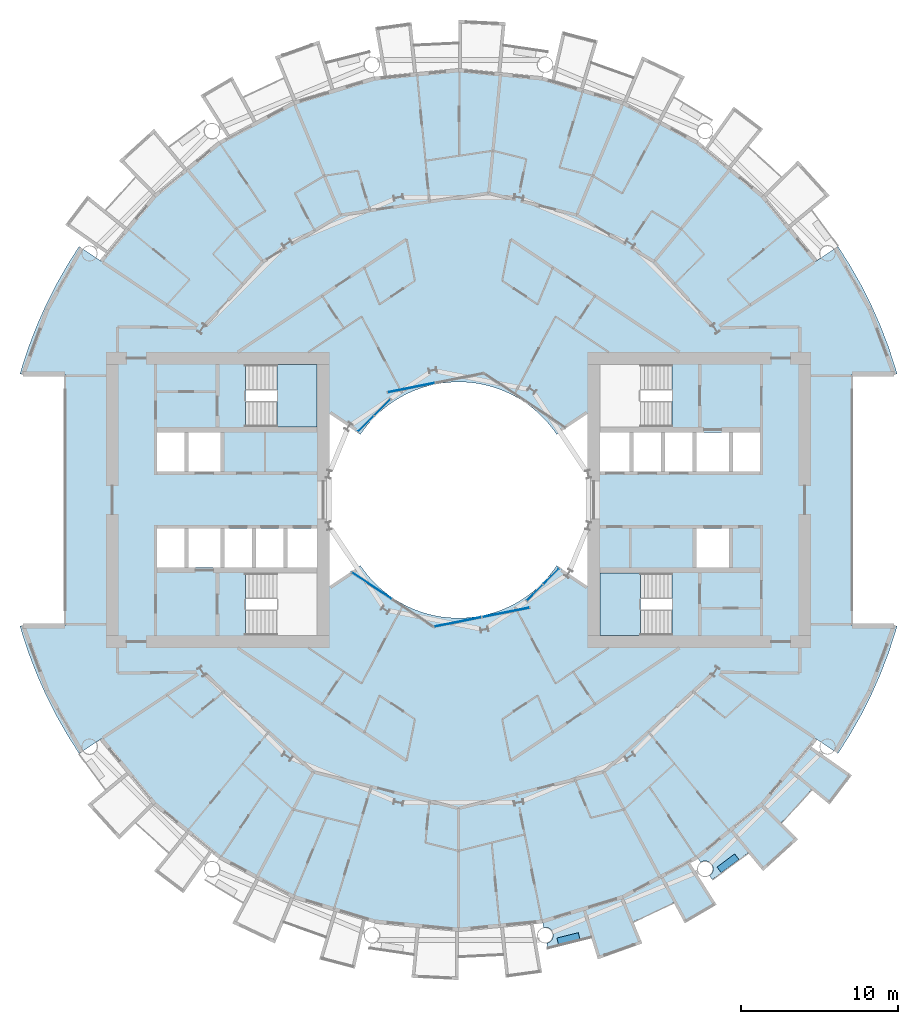
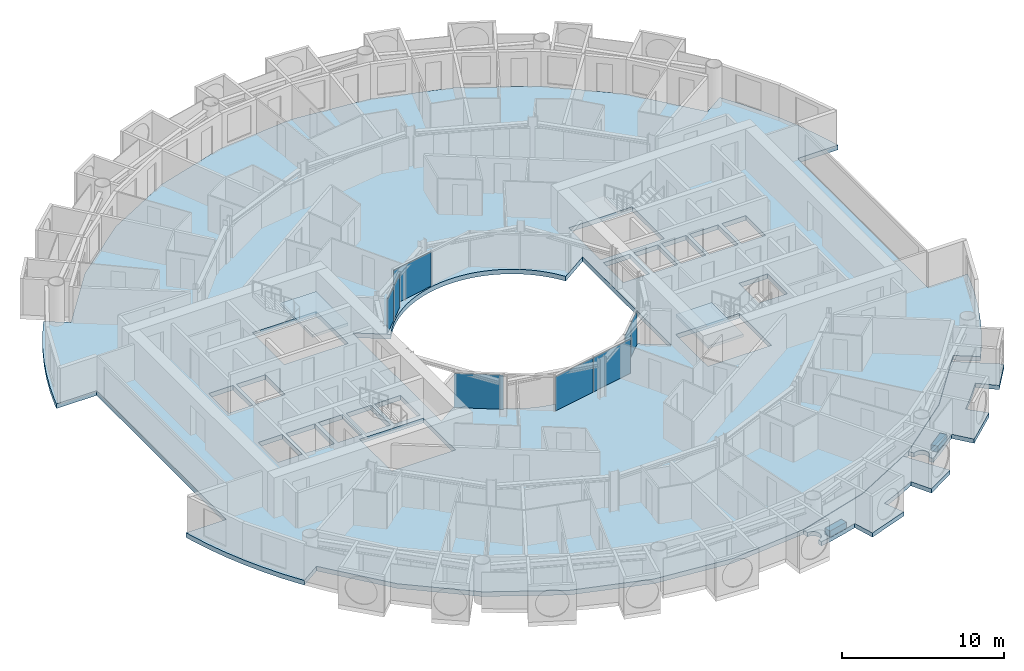
# One storey, part 10 of 26: 8 plates, 7 slabs, 7 elements without a shape of their own.
"""IFC4 building model written with IfcOpenShell, lengths in metres."""

from ifc_helpers import new_model, si_unit, direction, frame, origin, origin_2d, place, context, subcontext, project, spatial, polyline, rectangle, outline, extrude, material, layer, layer_set, type_object, element, aggregate, save


model = new_model("IFC4")

# Units and contexts
model_context = context("Model", 3, precision=1e-05, world=origin(), true_north=direction((0.0, 1.0)))
body_context = subcontext(model_context, "Body", "Model", "MODEL_VIEW")
ifc_project = project(units=[si_unit("LENGTHUNIT", "METRE"), si_unit("AREAUNIT", "SQUARE_METRE"), si_unit("VOLUMEUNIT", "CUBIC_METRE"), si_unit("PLANEANGLEUNIT", "RADIAN"), si_unit("MASSUNIT", "GRAM", prefix="KILO")], contexts=[model_context])

# Site, building, storey
site_placement = place(None, origin())
site = spatial("IfcSite", under=ifc_project, at=site_placement, CompositionType="ELEMENT")
building_placement = place(site_placement, origin())
building = spatial("IfcBuilding", under=site, at=building_placement, Name="Maasbend Ring Residences", CompositionType="ELEMENT")
storey_placement = place(building_placement, frame((0.0, 0.0, 31.949951171875)))
storey = spatial("IfcBuildingStorey", under=building, at=storey_placement, Name="L08", CompositionType="ELEMENT", Elevation=31.949951171875)

# Stair, slab
ifc_material_1 = material(Name="Concrete C40/50", Category="concrete")
stair_type = type_object("IfcStairType", Name="CORE STAIR 18 RISERS", PredefinedType="HALF_TURN_STAIR", material=ifc_material_1)
stair_1_placement = place(storey_placement, origin())
stair_1 = element("IfcStair", 1, at=stair_1_placement, inside=storey, type_object=stair_type, Name="L08 Exit stair ST-E2", PredefinedType="HALF_TURN_STAIR")
ifc_material_2 = material(Name="Concrete C40/50", Category="concrete")
ifc_layer_1 = layer(ifc_material_2, 0.199951171875)
ifc_layer_set_1 = layer_set([ifc_layer_1], Name="Concrete C40/50")
slab_type_1 = type_object("IfcSlabType", Name="CORE STAIR LANDING 200", PredefinedType="LANDING", material=ifc_layer_set_1)
slab_1_placement = place(storey_placement, frame((0.0, 0.0, 1.324951171875)))
slab_1 = element("IfcSlab", 2, at=slab_1_placement, type_object=slab_type_1, Name="ST-E2 landing 1", PredefinedType="LANDING", context=body_context, shape_type="SweptSolid", body=[
    extrude(outline(polyline([(11.550048828125, -4.64990234375), (9.0, -4.64990234375), (9.0, -8.60009765625), (11.550048828125, -8.60009765625), (11.550048828125, -4.64990234375)])), origin(), (0.0, 0.0, 1.0), 0.2001953125),
])
aggregate(stair_1, [slab_1])

stair_2_placement = place(storey_placement, origin())
stair_2 = element("IfcStair", 3, at=stair_2_placement, inside=storey, type_object=stair_type, Name="L08 Exit stair ST-W2", PredefinedType="HALF_TURN_STAIR")
slab_2_placement = place(storey_placement, frame((0.0, 0.0, 1.324951171875)))
slab_2 = element("IfcSlab", 4, at=slab_2_placement, type_object=slab_type_1, Name="ST-W2 landing 1", PredefinedType="LANDING", context=body_context, shape_type="SweptSolid", body=[
    extrude(outline(polyline([(-11.550048828125, 4.64990234375), (-9.0, 4.64990234375), (-9.0, 8.60009765625), (-11.550048828125, 8.60009765625), (-11.550048828125, 4.64990234375)])), origin(), (0.0, 0.0, 1.0), 0.2001953125),
])
aggregate(stair_2, [slab_2])

# Curtain wall, plate
ifc_material_3 = material(Name="Aluminium and clear glass", Category="aluminium")
ifc_layer_2 = layer(ifc_material_3, 0.179931640625)
ifc_layer_set_2 = layer_set([ifc_layer_2], Name="CW-W")
curtain_wall_type = type_object("IfcCurtainWallType", Name="CW-W", PredefinedType="NOTDEFINED", material=ifc_layer_set_2)
curtain_wall_1_placement = place(storey_placement, origin())
curtain_wall_1 = element("IfcCurtainWall", 5, at=curtain_wall_1_placement, inside=storey, type_object=curtain_wall_type, Name="Well curtain wall N2", PredefinedType="NOTDEFINED")
ifc_material_4 = material(Name="Glass clear laminated", Category="glass")
ifc_layer_3 = layer(ifc_material_4, 0.031982421875)
ifc_layer_set_3 = layer_set([ifc_layer_3], Name="CWP-W")
plate_type = type_object("IfcPlateType", Name="CWP-W", PredefinedType="CURTAIN_PANEL", material=ifc_layer_set_3)
plate_1_placement = place(storey_placement, frame((-3.0078125, 7.140380859375, 0.0), z_axis=(0.0, 0.0, 1.0), x_axis=(-0.980785280403, -0.195090322016, 0.0)))
plate_1 = element("IfcPlate", 6, at=plate_1_placement, type_object=plate_type, Name="Glass panel well face", PredefinedType="CURTAIN_PANEL", context=body_context, shape_type="SweptSolid", body=[
    extrude(rectangle(XDim=3.053955078125, YDim=0.031982421875, at=origin_2d()), origin(), (0.0, 0.0, 1.0), 2.580078125),
])
aggregate(curtain_wall_1, [plate_1])

# Curtain wall, plates
curtain_wall_2_placement = place(storey_placement, origin())
curtain_wall_2 = element("IfcCurtainWall", 7, at=curtain_wall_2_placement, inside=storey, type_object=curtain_wall_type, Name="Well curtain wall N3", PredefinedType="NOTDEFINED")
plate_2_placement = place(storey_placement, frame((-4.84375, 5.89013671875, 0.0), z_axis=(0.0, 0.0, 1.0), x_axis=(-0.707106781187, -0.707106781187, 0.0)))
plate_2 = element("IfcPlate", 8, at=plate_2_placement, type_object=plate_type, Name="Glass panel well face", PredefinedType="CURTAIN_PANEL", context=body_context, shape_type="SweptSolid", body=[
    extrude(rectangle(XDim=1.419677734375, YDim=0.031982421875, at=origin_2d()), origin(), (0.0, 0.0, 1.0), 2.580078125),
])
plate_3_placement = place(storey_placement, frame((-5.89013671875, 4.84375, 0.0), z_axis=(0.0, 0.0, 1.0), x_axis=(-0.707106781187, -0.707106781187, 0.0)))
plate_3 = element("IfcPlate", 9, at=plate_3_placement, type_object=plate_type, Name="Glass panel well face", PredefinedType="CURTAIN_PANEL", context=body_context, shape_type="SweptSolid", body=[
    extrude(rectangle(XDim=1.419677734375, YDim=0.031982421875, at=origin_2d()), origin(), (0.0, 0.0, 1.0), 2.580078125),
])
aggregate(curtain_wall_2, [plate_2, plate_3])

# Curtain wall, plate
curtain_wall_3_placement = place(storey_placement, origin())
curtain_wall_3 = element("IfcCurtainWall", 10, at=curtain_wall_3_placement, inside=storey, type_object=curtain_wall_type, Name="Well curtain wall S1", PredefinedType="NOTDEFINED")
plate_4_placement = place(storey_placement, frame((-5.51123046875, -5.44580078125, 0.0), z_axis=(0.0, 0.0, 1.0), x_axis=(0.831469612303, -0.55557023302, 0.0)))
plate_4 = element("IfcPlate", 11, at=plate_4_placement, type_object=plate_type, Name="Glass panel well face", PredefinedType="CURTAIN_PANEL", context=body_context, shape_type="SweptSolid", body=[
    extrude(rectangle(XDim=3.053955078125, YDim=0.031982421875, at=origin_2d()), origin(), (0.0, 0.0, 1.0), 2.580078125),
])
aggregate(curtain_wall_3, [plate_4])

# Curtain wall, plates
curtain_wall_4_placement = place(storey_placement, origin())
curtain_wall_4 = element("IfcCurtainWall", 12, at=curtain_wall_4_placement, inside=storey, type_object=curtain_wall_type, Name="Well curtain wall S2", PredefinedType="NOTDEFINED")
plate_5_placement = place(storey_placement, frame((-0.04638671875, -7.747802734375, 0.0), z_axis=(0.0, 0.0, 1.0), x_axis=(0.980785280403, 0.195090322016, 0.0)))
plate_5 = element("IfcPlate", 13, at=plate_5_placement, type_object=plate_type, Name="Glass panel well face", PredefinedType="CURTAIN_PANEL", context=body_context, shape_type="SweptSolid", body=[
    extrude(rectangle(XDim=3.053955078125, YDim=0.031982421875, at=origin_2d()), origin(), (0.0, 0.0, 1.0), 2.580078125),
])
plate_6_placement = place(storey_placement, frame((3.0078125, -7.140380859375, 0.0), z_axis=(0.0, 0.0, 1.0), x_axis=(0.980785280403, 0.195090322016, 0.0)))
plate_6 = element("IfcPlate", 14, at=plate_6_placement, type_object=plate_type, Name="Glass panel well face", PredefinedType="CURTAIN_PANEL", context=body_context, shape_type="SweptSolid", body=[
    extrude(rectangle(XDim=3.053955078125, YDim=0.031982421875, at=origin_2d()), origin(), (0.0, 0.0, 1.0), 2.580078125),
])
aggregate(curtain_wall_4, [plate_5, plate_6])

curtain_wall_5_placement = place(storey_placement, origin())
curtain_wall_5 = element("IfcCurtainWall", 15, at=curtain_wall_5_placement, inside=storey, type_object=curtain_wall_type, Name="Well curtain wall S3", PredefinedType="NOTDEFINED")
plate_7_placement = place(storey_placement, frame((4.84375, -5.89013671875, 0.0), z_axis=(0.0, 0.0, 1.0), x_axis=(0.707106781187, 0.707106781187, 0.0)))
plate_7 = element("IfcPlate", 16, at=plate_7_placement, type_object=plate_type, Name="Glass panel well face", PredefinedType="CURTAIN_PANEL", context=body_context, shape_type="SweptSolid", body=[
    extrude(rectangle(XDim=1.419677734375, YDim=0.031982421875, at=origin_2d()), origin(), (0.0, 0.0, 1.0), 2.580078125),
])
plate_8_placement = place(storey_placement, frame((5.89013671875, -4.84375, 0.0), z_axis=(0.0, 0.0, 1.0), x_axis=(0.707106781187, 0.707106781187, 0.0)))
plate_8 = element("IfcPlate", 17, at=plate_8_placement, type_object=plate_type, Name="Glass panel well face", PredefinedType="CURTAIN_PANEL", context=body_context, shape_type="SweptSolid", body=[
    extrude(rectangle(XDim=1.419677734375, YDim=0.031982421875, at=origin_2d()), origin(), (0.0, 0.0, 1.0), 2.580078125),
])
aggregate(curtain_wall_5, [plate_7, plate_8])

# Slabs
ifc_material_5 = material(Name="Planting with climbing greenery")
ifc_layer_4 = layer(ifc_material_5, 0.449951171875)
ifc_layer_set_4 = layer_set([ifc_layer_4], Name="PLANTER-LG")
slab_type_2 = type_object("IfcSlabType", Name="PLANTER-LG", PredefinedType="USERDEFINED", material=ifc_layer_set_4)
slab_3_placement = place(storey_placement, frame((0.0, 0.0, -0.030029296875)))
element("IfcSlab", 18, at=slab_3_placement, inside=storey, type_object=slab_type_2, Name="Planter with climbing greenery 4", ObjectType="PLANTER", PredefinedType="USERDEFINED", context=body_context, shape_type="SweptSolid", body=[
    extrude(outline(polyline([(6.35888671875, -28.26708984375), (7.717041015625, -27.927001953125), (7.60791015625, -27.489990234375), (6.25, -27.8310546875), (6.35888671875, -28.26708984375)])), origin(), (0.0, 0.0, 1.0), 0.4501953125),
])
slab_4_placement = place(storey_placement, frame((0.0, 0.0, -0.030029296875)))
element("IfcSlab", 19, at=slab_4_placement, inside=storey, type_object=slab_type_2, Name="Planter with climbing greenery 5", ObjectType="PLANTER", PredefinedType="USERDEFINED", context=body_context, shape_type="SweptSolid", body=[
    extrude(outline(polyline([(16.69189453125, -23.681884765625), (17.81689453125, -22.847900390625), (17.549072265625, -22.487060546875), (16.424072265625, -23.321044921875), (16.69189453125, -23.681884765625)])), origin(), (0.0, 0.0, 1.0), 0.4501953125),
])
ifc_material_6 = material(Name="Concrete C40/50", Category="concrete")
ifc_layer_5 = layer(ifc_material_6, 0.35009765625)
ifc_layer_set_5 = layer_set([ifc_layer_5], Name="Concrete C40/50")
slab_type_3 = type_object("IfcSlabType", Name="Post-tensioned flat plate 350", PredefinedType="FLOOR", material=ifc_layer_set_5)
slab_5_placement = place(storey_placement, frame((0.0, 0.0, -0.349853515625)))
element("IfcSlab", 20, at=slab_5_placement, inside=storey, type_object=slab_type_3, Name="Floor slab L08", PredefinedType="FLOOR", context=body_context, shape_type="SweptSolid", body=[
    extrude(outline(polyline([(24.8740234375, -14.908935546875), (25.57568359375, -13.67041015625), (26.2158203125, -12.399169921875), (26.79248046875, -11.097900390625), (27.3046875, -9.769775390625), (27.751220703125, -8.418212890625), (27.866943359375, -8.0), (25.0, -8.0), (25.0, 8.0), (27.866943359375, 8.0), (27.751220703125, 8.418212890625), (27.3046875, 9.769775390625), (26.79248046875, 11.097900390625), (26.2158203125, 12.399169921875), (25.57568359375, 13.67041015625), (24.8740234375, 14.908935546875), (24.112548828125, 16.111572265625), (22.69921875, 15.1669921875), (19.303955078125, 19.303955078125), (15.1669921875, 22.69921875), (10.447265625, 25.221923828125), (5.325927734375, 26.775390625), (0.0, 27.300048828125), (-5.325927734375, 26.775390625), (-10.447265625, 25.221923828125), (-15.1669921875, 22.69921875), (-19.303955078125, 19.303955078125), (-22.69921875, 15.1669921875), (-24.112548828125, 16.111572265625), (-24.8740234375, 14.908935546875), (-25.57568359375, 13.67041015625), (-26.2158203125, 12.399169921875), (-26.79248046875, 11.097900390625), (-27.3046875, 9.769775390625), (-27.751220703125, 8.418212890625), (-27.866943359375, 8.0), (-25.0, 8.0), (-25.0, -8.0), (-27.866943359375, -8.0), (-27.751220703125, -8.418212890625), (-27.3046875, -9.769775390625), (-26.79248046875, -11.097900390625), (-26.2158203125, -12.399169921875), (-25.57568359375, -13.67041015625), (-24.8740234375, -14.908935546875), (-24.112548828125, -16.111572265625), (-22.69921875, -15.1669921875), (-19.303955078125, -19.303955078125), (-15.1669921875, -22.69921875), (-10.447265625, -25.221923828125), (-5.325927734375, -26.775390625), (0.0, -27.300048828125), (5.325927734375, -26.775390625), (10.447265625, -25.221923828125), (15.1669921875, -22.69921875), (19.303955078125, -19.303955078125), (22.69921875, -15.1669921875), (24.112548828125, -16.111572265625), (24.8740234375, -14.908935546875)]), holes=[polyline([(17.425048828125, 4.27490234375), (19.14990234375, 4.27490234375), (19.14990234375, 1.824951171875), (17.425048828125, 1.824951171875), (17.425048828125, 4.27490234375)]), polyline([(15.125, 1.824951171875), (15.125, 4.27490234375), (17.175048828125, 4.27490234375), (17.175048828125, 1.824951171875), (15.125, 1.824951171875)]), polyline([(15.125, -4.27490234375), (15.125, -1.824951171875), (17.175048828125, -1.824951171875), (17.175048828125, -4.27490234375), (15.125, -4.27490234375)]), polyline([(13.125, 1.824951171875), (13.125, 4.27490234375), (14.875, 4.27490234375), (14.875, 1.824951171875), (13.125, 1.824951171875)]), polyline([(13.550048828125, 4.64990234375), (9.0, 4.64990234375), (9.0, 8.60009765625), (13.550048828125, 8.60009765625), (13.550048828125, 4.64990234375)]), polyline([(13.550048828125, -4.64990234375), (13.550048828125, -8.60009765625), (9.0, -8.60009765625), (9.0, -4.64990234375), (13.550048828125, -4.64990234375)]), polyline([(11.125, 1.824951171875), (11.125, 4.27490234375), (12.875, 4.27490234375), (12.875, 1.824951171875), (11.125, 1.824951171875)]), polyline([(9.0, 1.824951171875), (9.0, 4.27490234375), (10.875, 4.27490234375), (10.875, 1.824951171875), (9.0, 1.824951171875)]), polyline([(6.024169921875, 4.4677734375), (6.236083984375, 4.166748046875), (8.199951171875, 5.47900390625), (8.199951171875, -5.47900390625), (6.236083984375, -4.166748046875), (6.024169921875, -4.4677734375), (5.797607421875, -4.7578125), (5.55712890625, -5.03662109375), (5.30322265625, -5.30322265625), (5.03662109375, -5.55712890625), (4.7578125, -5.797607421875), (4.4677734375, -6.024169921875), (4.166748046875, -6.236083984375), (3.855712890625, -6.43310546875), (3.535400390625, -6.614501953125), (3.206787109375, -6.77978515625), (2.8701171875, -6.92919921875), (2.526611328125, -7.0615234375), (2.177001953125, -7.177001953125), (1.822509765625, -7.275146484375), (1.463134765625, -7.35595703125), (1.1005859375, -7.418701171875), (0.735107421875, -7.4638671875), (0.367919921875, -7.490966796875), (0.0, -7.5), (-0.367919921875, -7.490966796875), (-0.735107421875, -7.4638671875), (-1.1005859375, -7.418701171875), (-1.463134765625, -7.35595703125), (-1.822509765625, -7.275146484375), (-2.177001953125, -7.177001953125), (-2.526611328125, -7.0615234375), (-2.8701171875, -6.92919921875), (-3.206787109375, -6.77978515625), (-3.535400390625, -6.614501953125), (-3.855712890625, -6.43310546875), (-4.166748046875, -6.236083984375), (-4.4677734375, -6.024169921875), (-4.7578125, -5.797607421875), (-5.03662109375, -5.55712890625), (-5.30322265625, -5.30322265625), (-5.55712890625, -5.03662109375), (-5.797607421875, -4.7578125), (-6.024169921875, -4.4677734375), (-6.236083984375, -4.166748046875), (-8.199951171875, -5.47900390625), (-8.199951171875, 5.47900390625), (-6.236083984375, 4.166748046875), (-6.236083984375, 4.166748046875), (-6.024169921875, 4.4677734375), (-5.797607421875, 4.7578125), (-5.55712890625, 5.03662109375), (-5.30322265625, 5.30322265625), (-5.03662109375, 5.55712890625), (-4.7578125, 5.797607421875), (-4.4677734375, 6.024169921875), (-4.166748046875, 6.236083984375), (-3.855712890625, 6.43310546875), (-3.535400390625, 6.614501953125), (-3.206787109375, 6.77978515625), (-2.8701171875, 6.92919921875), (-2.526611328125, 7.0615234375), (-2.177001953125, 7.177001953125), (-1.822509765625, 7.275146484375), (-1.463134765625, 7.35595703125), (-1.1005859375, 7.418701171875), (-0.735107421875, 7.4638671875), (-0.367919921875, 7.490966796875), (0.0, 7.5), (0.367919921875, 7.490966796875), (0.735107421875, 7.4638671875), (1.1005859375, 7.418701171875), (1.463134765625, 7.35595703125), (1.822509765625, 7.275146484375), (2.177001953125, 7.177001953125), (2.526611328125, 7.0615234375), (2.8701171875, 6.92919921875), (3.206787109375, 6.77978515625), (3.535400390625, 6.614501953125), (3.855712890625, 6.43310546875), (4.166748046875, 6.236083984375), (4.4677734375, 6.024169921875), (4.7578125, 5.797607421875), (5.03662109375, 5.55712890625), (5.30322265625, 5.30322265625), (5.55712890625, 5.03662109375), (5.797607421875, 4.7578125), (6.024169921875, 4.4677734375)]), polyline([(-13.550048828125, 4.64990234375), (-13.550048828125, 8.60009765625), (-9.0, 8.60009765625), (-9.0, 4.64990234375), (-13.550048828125, 4.64990234375)]), polyline([(-13.550048828125, -8.60009765625), (-13.550048828125, -4.64990234375), (-9.0, -4.64990234375), (-9.0, -8.60009765625), (-13.550048828125, -8.60009765625)]), polyline([(-9.0, -1.824951171875), (-9.0, -4.27490234375), (-10.875, -4.27490234375), (-10.875, -1.824951171875), (-9.0, -1.824951171875)]), polyline([(-11.125, -1.824951171875), (-11.125, -4.27490234375), (-12.875, -4.27490234375), (-12.875, -1.824951171875), (-11.125, -1.824951171875)]), polyline([(-13.125, -1.824951171875), (-13.125, -4.27490234375), (-14.875, -4.27490234375), (-14.875, -1.824951171875), (-13.125, -1.824951171875)]), polyline([(-15.125, 4.27490234375), (-15.125, 1.824951171875), (-17.175048828125, 1.824951171875), (-17.175048828125, 4.27490234375), (-15.125, 4.27490234375)]), polyline([(-15.125, -1.824951171875), (-15.125, -4.27490234375), (-17.175048828125, -4.27490234375), (-17.175048828125, -1.824951171875), (-15.125, -1.824951171875)]), polyline([(-17.425048828125, -1.824951171875), (-17.425048828125, -4.27490234375), (-19.14990234375, -4.27490234375), (-19.14990234375, -1.824951171875), (-17.425048828125, -1.824951171875)]), polyline([(-17.425048828125, 4.27490234375), (-17.425048828125, 1.824951171875), (-19.14990234375, 1.824951171875), (-19.14990234375, 4.27490234375), (-17.425048828125, 4.27490234375)])]), origin(), (0.0, 0.0, 1.0), 0.349853515625),
])
ifc_material_7 = material(Name="Concrete C40/50", Category="concrete")
ifc_layer_6 = layer(ifc_material_7, 0.199951171875)
ifc_layer_set_6 = layer_set([ifc_layer_6], Name="Concrete C40/50")
slab_type_4 = type_object("IfcSlabType", Name="SL-LOGGIA", PredefinedType="FLOOR", material=ifc_layer_set_6)
slab_6_placement = place(storey_placement, frame((0.0, 0.0, -0.349853515625)))
element("IfcSlab", 21, at=slab_6_placement, inside=storey, type_object=slab_type_4, Name="Loggia floor 2", PredefinedType="FLOOR", context=body_context, shape_type="SweptSolid", body=[
    extrude(outline(polyline([(10.447021484375, -25.221923828125), (12.806884765625, -23.9609375), (14.64599609375, -22.97705078125), (14.64599609375, -22.97705078125), (14.64599609375, -22.97705078125), (16.39404296875, -25.718994140625), (16.39404296875, -25.718994140625), (16.39404296875, -25.718994140625), (14.3779296875, -26.89892578125), (14.3779296875, -26.89892578125), (14.3779296875, -26.89892578125), (13.6708984375, -25.575927734375), (13.6708984375, -25.575927734375), (13.6708984375, -25.575927734375), (13.6708984375, -25.575927734375), (13.6708984375, -25.575927734375), (13.6708984375, -25.575927734375), (13.6708984375, -25.575927734375), (13.669921875, -25.575927734375), (13.669921875, -25.575927734375), (13.669921875, -25.575927734375), (13.669921875, -25.575927734375), (13.669921875, -25.575927734375), (13.669921875, -25.575927734375), (13.669921875, -25.575927734375), (13.669921875, -25.575927734375), (13.669921875, -25.575927734375), (13.669921875, -25.575927734375), (12.825927734375, -26.009033203125), (12.825927734375, -26.009033203125), (11.968994140625, -26.4150390625), (11.968994140625, -26.4150390625), (11.097900390625, -26.7919921875), (11.097900390625, -26.7919921875), (11.097900390625, -26.7919921875), (11.097900390625, -26.7919921875), (11.097900390625, -26.7919921875), (11.097900390625, -26.7919921875), (11.097900390625, -26.7919921875), (11.097900390625, -26.79296875), (11.097900390625, -26.79296875), (11.097900390625, -26.79296875), (11.097900390625, -26.79296875), (11.097900390625, -26.79296875), (11.097900390625, -26.79296875), (11.097900390625, -26.79296875), (11.097900390625, -26.79296875), (11.097900390625, -26.79296875), (11.097900390625, -26.79296875), (11.672119140625, -28.177978515625), (11.672119140625, -28.177978515625), (11.672119140625, -28.177978515625), (8.85400390625, -29.18701171875), (8.85400390625, -29.18701171875), (8.85400390625, -29.18701171875), (8.41796875, -27.751953125), (8.41796875, -27.751953125), (8.41796875, -27.751953125), (8.41796875, -27.751953125), (8.41796875, -27.751953125), (8.41796875, -27.751953125), (8.41796875, -27.751953125), (8.41796875, -27.7509765625), (8.41796875, -27.7509765625), (8.41796875, -27.7509765625), (8.41796875, -27.7509765625), (8.41796875, -27.7509765625), (8.41796875, -27.7509765625), (8.41796875, -27.7509765625), (8.41796875, -27.7509765625), (8.41796875, -27.7509765625), (8.41796875, -27.7509765625), (7.506103515625, -28.011962890625), (7.506103515625, -28.011962890625), (6.5849609375, -28.241943359375), (6.5849609375, -28.241943359375), (5.657958984375, -28.443115234375), (5.657958984375, -28.443115234375), (5.657958984375, -28.443115234375), (5.60107421875, -28.156005859375), (5.613037109375, -28.154052734375), (5.625, -28.15087890625), (5.636962890625, -28.14794921875), (5.64892578125, -28.14404296875), (5.660888671875, -28.139892578125), (5.673095703125, -28.135986328125), (5.68408203125, -28.132080078125), (5.696044921875, -28.126953125), (5.70703125, -28.123046875), (5.718994140625, -28.116943359375), (5.72998046875, -28.112060546875), (5.740966796875, -28.10595703125), (5.751953125, -28.10009765625), (5.762939453125, -28.093994140625), (5.77294921875, -28.0869140625), (5.783935546875, -28.080078125), (5.7939453125, -28.072998046875), (5.803955078125, -28.06591796875), (5.81396484375, -28.05908203125), (5.823974609375, -28.051025390625), (5.8330078125, -28.04296875), (5.843017578125, -28.034912109375), (5.85205078125, -28.02587890625), (5.861083984375, -28.01708984375), (5.868896484375, -28.008056640625), (5.8779296875, -27.9990234375), (5.885986328125, -27.989990234375), (5.89404296875, -27.97998046875), (5.902099609375, -27.970947265625), (5.909912109375, -27.9609375), (5.9169921875, -27.950927734375), (5.924072265625, -27.93994140625), (5.930908203125, -27.929931640625), (5.93701171875, -27.9189453125), (5.944091796875, -27.907958984375), (5.949951171875, -27.89794921875), (5.955078125, -27.886962890625), (5.9609375, -27.875), (5.966064453125, -27.864013671875), (5.970947265625, -27.85302734375), (5.97509765625, -27.841064453125), (5.97998046875, -27.8291015625), (5.98388671875, -27.81689453125), (5.988037109375, -27.805908203125), (5.990966796875, -27.7939453125), (5.993896484375, -27.781982421875), (5.9970703125, -27.76904296875), (6.0, -27.757080078125), (6.001953125, -27.7451171875), (6.00390625, -27.73291015625), (6.006103515625, -27.719970703125), (6.007080078125, -27.7080078125), (6.008056640625, -27.695068359375), (6.009033203125, -27.68310546875), (6.009033203125, -27.6708984375), (6.010009765625, -27.657958984375), (6.009033203125, -27.64599609375), (6.009033203125, -27.633056640625), (6.008056640625, -27.62109375), (6.007080078125, -27.60791015625), (6.006103515625, -27.595947265625), (6.00390625, -27.583984375), (6.001953125, -27.571044921875), (6.0, -27.55908203125), (5.9970703125, -27.547119140625), (5.993896484375, -27.534912109375), (5.990966796875, -27.52294921875), (5.988037109375, -27.510986328125), (5.98388671875, -27.4990234375), (5.97998046875, -27.487060546875), (5.97509765625, -27.47509765625), (5.970947265625, -27.464111328125), (5.966064453125, -27.451904296875), (5.9609375, -27.44091796875), (5.955078125, -27.429931640625), (5.949951171875, -27.4189453125), (5.944091796875, -27.407958984375), (5.93701171875, -27.39697265625), (5.930908203125, -27.385986328125), (5.924072265625, -27.3759765625), (5.9169921875, -27.365966796875), (5.909912109375, -27.35498046875), (5.902099609375, -27.345947265625), (5.89404296875, -27.3359375), (5.885986328125, -27.325927734375), (5.8779296875, -27.31689453125), (5.868896484375, -27.30810546875), (5.861083984375, -27.299072265625), (5.85205078125, -27.2900390625), (5.843017578125, -27.281982421875), (5.8330078125, -27.27294921875), (5.823974609375, -27.264892578125), (5.81396484375, -27.258056640625), (5.803955078125, -27.25), (5.7939453125, -27.242919921875), (5.783935546875, -27.236083984375), (5.77294921875, -27.22900390625), (5.762939453125, -27.221923828125), (5.751953125, -27.216064453125), (5.740966796875, -27.2099609375), (5.72998046875, -27.2041015625), (5.718994140625, -27.198974609375), (5.70703125, -27.194091796875), (5.696044921875, -27.18896484375), (5.68408203125, -27.18408203125), (5.673095703125, -27.179931640625), (5.660888671875, -27.176025390625), (5.64892578125, -27.172119140625), (5.636962890625, -27.1689453125), (5.625, -27.1650390625), (5.613037109375, -27.162109375), (5.60107421875, -27.159912109375), (5.587890625, -27.157958984375), (5.575927734375, -27.156005859375), (5.56396484375, -27.154052734375), (5.551025390625, -27.153076171875), (5.5390625, -27.15087890625), (5.52587890625, -27.15087890625), (5.513916015625, -27.14990234375), (5.501953125, -27.14990234375), (5.489013671875, -27.14990234375), (5.47705078125, -27.15087890625), (5.464111328125, -27.15087890625), (5.451904296875, -27.153076171875), (5.43896484375, -27.154052734375), (5.427001953125, -27.156005859375), (5.4150390625, -27.157958984375), (5.402099609375, -27.159912109375), (5.325927734375, -26.77490234375), (5.325927734375, -26.77490234375), (5.325927734375, -26.77490234375), (7.886962890625, -25.9990234375), (10.447021484375, -25.221923828125), (10.447021484375, -25.221923828125), (10.447021484375, -25.221923828125)])), origin(), (0.0, 0.0, 1.0), 0.31982421875),
])
slab_7_placement = place(storey_placement, frame((0.0, 0.0, -0.349853515625)))
element("IfcSlab", 22, at=slab_7_placement, inside=storey, type_object=slab_type_4, Name="Loggia floor 5", PredefinedType="FLOOR", context=body_context, shape_type="SweptSolid", body=[
    extrude(outline(polyline([(19.303955078125, -19.303955078125), (21.001953125, -17.236083984375), (22.324951171875, -15.623046875), (22.324951171875, -15.623046875), (22.324951171875, -15.623046875), (24.989013671875, -17.488037109375), (24.989013671875, -17.488037109375), (24.989013671875, -17.488037109375), (23.576904296875, -19.34912109375), (23.576904296875, -19.34912109375), (23.576904296875, -19.34912109375), (22.41796875, -18.39794921875), (22.41796875, -18.39794921875), (22.41796875, -18.39794921875), (22.41796875, -18.39794921875), (22.41796875, -18.39794921875), (22.4169921875, -18.39794921875), (22.4169921875, -18.39794921875), (22.4169921875, -18.39794921875), (22.4169921875, -18.39794921875), (22.4169921875, -18.39794921875), (22.4169921875, -18.39794921875), (22.4169921875, -18.39794921875), (22.4169921875, -18.39794921875), (22.4169921875, -18.39794921875), (22.4169921875, -18.39794921875), (22.4169921875, -18.39794921875), (22.4169921875, -18.39794921875), (21.802978515625, -19.12109375), (21.802978515625, -19.12109375), (21.166015625, -19.823974609375), (21.166015625, -19.823974609375), (20.506103515625, -20.506103515625), (20.506103515625, -20.506103515625), (20.506103515625, -20.506103515625), (20.506103515625, -20.506103515625), (20.506103515625, -20.506103515625), (20.506103515625, -20.506103515625), (20.506103515625, -20.506103515625), (20.506103515625, -20.506103515625), (20.506103515625, -20.506103515625), (20.506103515625, -20.506103515625), (20.506103515625, -20.506103515625), (20.506103515625, -20.506103515625), (20.506103515625, -20.506103515625), (20.506103515625, -20.506103515625), (20.506103515625, -20.506103515625), (20.506103515625, -20.506103515625), (20.506103515625, -20.506103515625), (21.56689453125, -21.56689453125), (21.56689453125, -21.56689453125), (21.56689453125, -21.56689453125), (19.34912109375, -23.576904296875), (19.34912109375, -23.576904296875), (19.34912109375, -23.576904296875), (18.39794921875, -22.41796875), (18.39794921875, -22.41796875), (18.39794921875, -22.41796875), (18.39794921875, -22.41796875), (18.39794921875, -22.41796875), (18.39794921875, -22.41796875), (18.39697265625, -22.41796875), (18.39697265625, -22.41796875), (18.39697265625, -22.41796875), (18.39697265625, -22.41796875), (18.39697265625, -22.41796875), (18.39697265625, -22.41796875), (18.39697265625, -22.41796875), (18.39697265625, -22.41796875), (18.39697265625, -22.41796875), (18.39697265625, -22.41796875), (18.39697265625, -22.41796875), (17.654052734375, -23.007080078125), (17.654052734375, -23.007080078125), (16.89208984375, -23.572998046875), (16.89208984375, -23.572998046875), (16.112060546875, -24.113037109375), (16.112060546875, -24.113037109375), (16.112060546875, -24.113037109375), (15.948974609375, -23.8701171875), (15.948974609375, -23.8701171875), (15.9599609375, -23.863037109375), (15.969970703125, -23.85498046875), (15.97998046875, -23.847900390625), (15.989013671875, -23.840087890625), (15.9990234375, -23.83203125), (16.008056640625, -23.823974609375), (16.01708984375, -23.81494140625), (16.02587890625, -23.806884765625), (16.034912109375, -23.798095703125), (16.0439453125, -23.7890625), (16.052001953125, -23.779052734375), (16.06005859375, -23.77001953125), (16.068115234375, -23.760009765625), (16.074951171875, -23.75), (16.08203125, -23.739990234375), (16.089111328125, -23.72998046875), (16.095947265625, -23.718994140625), (16.10302734375, -23.708984375), (16.10888671875, -23.697998046875), (16.114990234375, -23.68701171875), (16.12109375, -23.676025390625), (16.1259765625, -23.6650390625), (16.132080078125, -23.653076171875), (16.135986328125, -23.64208984375), (16.14111328125, -23.6298828125), (16.14501953125, -23.618896484375), (16.14892578125, -23.60693359375), (16.153076171875, -23.594970703125), (16.156982421875, -23.5830078125), (16.159912109375, -23.571044921875), (16.1630859375, -23.55908203125), (16.1650390625, -23.547119140625), (16.16796875, -23.533935546875), (16.169921875, -23.52197265625), (16.1708984375, -23.510009765625), (16.173095703125, -23.4970703125), (16.174072265625, -23.485107421875), (16.174072265625, -23.471923828125), (16.175048828125, -23.4599609375), (16.175048828125, -23.447021484375), (16.175048828125, -23.43505859375), (16.174072265625, -23.422119140625), (16.174072265625, -23.409912109375), (16.173095703125, -23.39794921875), (16.1708984375, -23.385009765625), (16.169921875, -23.373046875), (16.16796875, -23.361083984375), (16.1650390625, -23.347900390625), (16.1630859375, -23.3359375), (16.159912109375, -23.323974609375), (16.156982421875, -23.31201171875), (16.153076171875, -23.300048828125), (16.14892578125, -23.2880859375), (16.14501953125, -23.27587890625), (16.14111328125, -23.264892578125), (16.135986328125, -23.2529296875), (16.132080078125, -23.241943359375), (16.1259765625, -23.22998046875), (16.12109375, -23.218994140625), (16.114990234375, -23.2080078125), (16.10888671875, -23.197021484375), (16.10302734375, -23.18603515625), (16.095947265625, -23.176025390625), (16.089111328125, -23.1650390625), (16.08203125, -23.155029296875), (16.074951171875, -23.14501953125), (16.068115234375, -23.135009765625), (16.06005859375, -23.125), (16.052001953125, -23.115966796875), (16.0439453125, -23.10595703125), (16.034912109375, -23.096923828125), (16.02587890625, -23.087890625), (16.01708984375, -23.0791015625), (16.008056640625, -23.071044921875), (15.9990234375, -23.06298828125), (15.989013671875, -23.054931640625), (15.97998046875, -23.047119140625), (15.969970703125, -23.0390625), (15.9599609375, -23.031982421875), (15.948974609375, -23.02490234375), (15.93896484375, -23.01806640625), (15.927978515625, -23.011962890625), (15.9169921875, -23.0048828125), (15.906982421875, -22.9990234375), (15.89599609375, -22.993896484375), (15.884033203125, -22.988037109375), (15.873046875, -22.98291015625), (15.862060546875, -22.97802734375), (15.85009765625, -22.972900390625), (15.837890625, -22.968994140625), (15.825927734375, -22.965087890625), (15.81494140625, -22.9609375), (15.802978515625, -22.9580078125), (15.791015625, -22.955078125), (15.778076171875, -22.951904296875), (15.76611328125, -22.948974609375), (15.75390625, -22.947021484375), (15.741943359375, -22.945068359375), (15.72900390625, -22.943115234375), (15.717041015625, -22.94189453125), (15.7041015625, -22.94091796875), (15.69189453125, -22.93994140625), (15.679931640625, -22.93994140625), (15.6669921875, -22.93896484375), (15.655029296875, -22.93994140625), (15.64208984375, -22.93994140625), (15.6298828125, -22.94091796875), (15.616943359375, -22.94189453125), (15.60498046875, -22.943115234375), (15.593017578125, -22.945068359375), (15.580078125, -22.947021484375), (15.568115234375, -22.948974609375), (15.555908203125, -22.951904296875), (15.5439453125, -22.955078125), (15.531982421875, -22.9580078125), (15.52001953125, -22.9609375), (15.508056640625, -22.965087890625), (15.49609375, -22.968994140625), (15.48388671875, -22.972900390625), (15.472900390625, -22.97802734375), (15.4609375, -22.98291015625), (15.449951171875, -22.988037109375), (15.43896484375, -22.993896484375), (15.427978515625, -22.9990234375), (15.4169921875, -23.0048828125), (15.406005859375, -23.011962890625), (15.39501953125, -23.01806640625), (15.385009765625, -23.02490234375), (15.385009765625, -23.02490234375), (15.1669921875, -22.698974609375), (15.1669921875, -22.698974609375), (15.1669921875, -22.698974609375), (17.236083984375, -21.001953125), (19.303955078125, -19.303955078125), (19.303955078125, -19.303955078125), (19.303955078125, -19.303955078125)])), origin(), (0.0, 0.0, 1.0), 0.31982421875),
])

save(model, "model.ifc")
